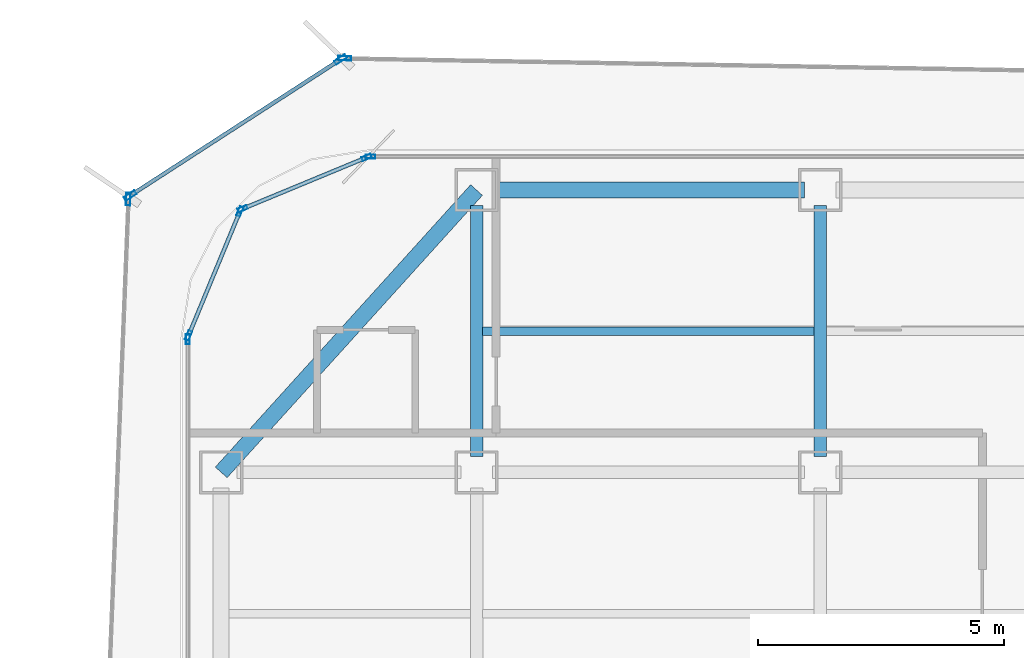
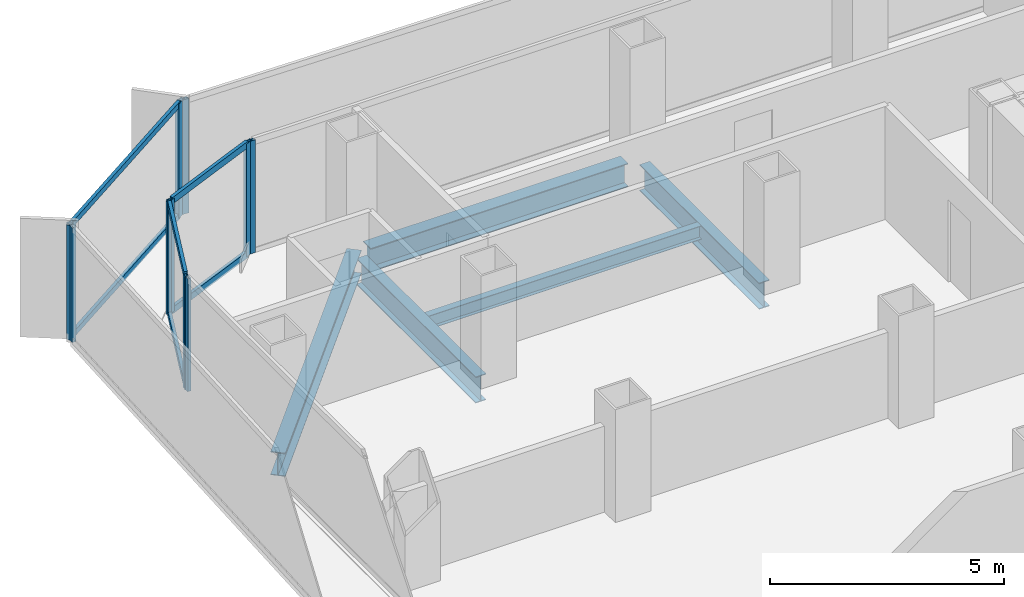
# One storey, part 10 of 21: 16 members, 5 beams, 7 elements without a shape of their own.
"""IFC4 building model written with IfcOpenShell, lengths in metres."""

from ifc_helpers import new_model, si_unit, direction, frame, origin, origin_2d, place, context, subcontext, project, spatial, hollow_rectangle, i_section, extrude, source, transform, mapped, material, layer, layer_set, material_profile, profile_set, type_object, element, aggregate, save


model = new_model("IFC4")

# Units and contexts
model_context = context("Model", 3, precision=1e-05, world=origin(), true_north=direction((0.0, 1.0)))
body_context = subcontext(model_context, "Body", "Model", "MODEL_VIEW")
ifc_project = project(units=[si_unit("LENGTHUNIT", "METRE"), si_unit("AREAUNIT", "SQUARE_METRE"), si_unit("VOLUMEUNIT", "CUBIC_METRE"), si_unit("PLANEANGLEUNIT", "RADIAN"), si_unit("MASSUNIT", "GRAM", prefix="KILO")], contexts=[model_context])

# Site, building, storey
site_placement = place(None, origin())
site = spatial("IfcSite", under=ifc_project, at=site_placement, CompositionType="ELEMENT")
building_placement = place(site_placement, origin())
building = spatial("IfcBuilding", under=site, at=building_placement, Name="Kolveth Station Tower", CompositionType="ELEMENT")
storey_placement = place(building_placement, frame((0.0, 0.0, 108.699951171875)))
storey = spatial("IfcBuildingStorey", under=building, at=storey_placement, Name="L29", CompositionType="ELEMENT", Elevation=108.699951171875)

# Beams
ifc_material_1 = material(Name="Steel S355", Category="steel")
ifc_material_profile_1 = material_profile(ifc_material_1, i_section(OverallWidth=0.323974609375, OverallDepth=0.611083984375, WebThickness=0.0126953125, FlangeThickness=0.01904296875, at=origin_2d()), Name="W610x155")
ifc_profile_set_1 = profile_set([ifc_material_profile_1], Name="Steel S355")
beam_type_1 = type_object("IfcBeamType", Name="Beam_SP2", PredefinedType="SPANDREL", material=ifc_profile_set_1)
shared_shape_1 = source(origin(), body_context, "Body", "SweptSolid", [
    extrude(i_section(OverallWidth=0.323974609375, OverallDepth=0.611083984375, WebThickness=0.0126953125, FlangeThickness=0.01904296875, at=origin_2d()), origin(), (0.0, 0.0, 1.0), 6.35986328125),
])
beam_1_placement = place(storey_placement, frame((6.320068359375, 34.5, -0.555419921875), z_axis=(1.0, 0.0, 0.0), x_axis=(0.0, 1.0, 0.0)))
element("IfcBeam", 1, at=beam_1_placement, inside=storey, type_object=beam_type_1, Name="L29 Perimeter Spandrel BM-L29-PN-1", PredefinedType="SPANDREL", context=body_context, shape_type="MappedRepresentation", body=[
    mapped(shared_shape_1, transform((0.0, 0.0, 0.0), x_axis=(1.0, 0.0, 0.0), y_axis=(0.0, 1.0, 0.0), z_axis=(0.0, 0.0, 1.0), scale=1.0)),
])
shared_shape_2 = source(origin(), body_context, "Body", "SweptSolid", [
    extrude(i_section(OverallWidth=0.323974609375, OverallDepth=0.611083984375, WebThickness=0.0126953125, FlangeThickness=0.01904296875, at=origin_2d()), origin(), (0.0, 0.0, 1.0), 7.75244140625),
])
beam_2_placement = place(storey_placement, frame((6.0, 34.5, -0.555419921875), z_axis=(-0.670740965555, -0.74169168603, 0.0), x_axis=(0.74169168603, -0.670740965555, 0.0)))
element("IfcBeam", 2, at=beam_2_placement, inside=storey, type_object=beam_type_1, Name="L29 Corner Edge Girder BM-L29-CNR-NW", PredefinedType="SPANDREL", context=body_context, shape_type="MappedRepresentation", body=[
    mapped(shared_shape_2, transform((0.0, 0.0, 0.0), x_axis=(1.0, 0.0, 0.0), y_axis=(0.0, 1.0, 0.0), z_axis=(0.0, 0.0, 1.0), scale=1.0)),
])
ifc_material_profile_2 = material_profile(ifc_material_1, i_section(OverallWidth=0.25390625, OverallDepth=0.68798828125, WebThickness=0.01318359375, FlangeThickness=0.02099609375, at=origin_2d()), Name="W690x152")
ifc_profile_set_2 = profile_set([ifc_material_profile_2], Name="Steel S355")
beam_type_2 = type_object("IfcBeamType", Name="Beam_B4", PredefinedType="BEAM", material=ifc_profile_set_2)
shared_shape_3 = source(origin(), body_context, "Body", "SweptSolid", [
    extrude(i_section(OverallWidth=0.25390625, OverallDepth=0.68798828125, WebThickness=0.01318359375, FlangeThickness=0.02099609375, at=origin_2d()), origin(), (0.0, 0.0, 1.0), 5.10986328125),
])
for number, where, z_axis, x_axis, name in (
    (3, (6.0, 29.070068359375, -0.593994140625), (0.0, 1.0, 0.0), (-1.0, 0.0, 0.0), "L29 Primary Girder BM-L29-GX60-6"),
    (4, (13.0, 29.070068359375, -0.593994140625), (0.0, 1.0, 0.0), (-1.0, 0.0, 0.0), "L29 Primary Girder BM-L29-GX130-6"),
):
    element("IfcBeam", number, at=place(storey_placement, frame(where, z_axis=z_axis, x_axis=x_axis)), inside=storey, type_object=beam_type_2, Name=name, PredefinedType="BEAM", context=body_context, shape_type="MappedRepresentation", body=[
        mapped(shared_shape_3, transform((0.0, 0.0, 0.0), x_axis=(1.0, 0.0, 0.0), y_axis=(0.0, 1.0, 0.0), z_axis=(0.0, 0.0, 1.0), scale=1.0)),
    ])
ifc_material_profile_3 = material_profile(ifc_material_1, i_section(OverallWidth=0.1708984375, OverallDepth=0.35205078125, WebThickness=0.0068359375, FlangeThickness=0.009765625, at=origin_2d()), Name="W360x44")
ifc_profile_set_3 = profile_set([ifc_material_profile_3], Name="Steel S355")
beam_type_3 = type_object("IfcBeamType", Name="Beam_J2", PredefinedType="JOIST", material=ifc_profile_set_3)
shared_shape_4 = source(origin(), body_context, "Body", "SweptSolid", [
    extrude(i_section(OverallWidth=0.1708984375, OverallDepth=0.35205078125, WebThickness=0.0068359375, FlangeThickness=0.009765625, at=origin_2d()), origin(), (0.0, 0.0, 1.0), 6.75),
])
beam_3_placement = place(storey_placement, frame((6.125, 31.625, -0.426025390625), z_axis=(1.0, 0.0, 0.0), x_axis=(0.0, 1.0, 0.0)))
element("IfcBeam", 5, at=beam_3_placement, inside=storey, type_object=beam_type_3, Name="L29 Secondary Joist JST-L29-2-6", PredefinedType="JOIST", context=body_context, shape_type="MappedRepresentation", body=[
    mapped(shared_shape_4, transform((0.0, 0.0, 0.0), x_axis=(1.0, 0.0, 0.0), y_axis=(0.0, 1.0, 0.0), z_axis=(0.0, 0.0, 1.0), scale=1.0)),
])

# Curtain wall, member
ifc_material_2 = material(Name="Aluminium 6063-T6 and low-E dark glass", Category="aluminium")
ifc_layer_1 = layer(ifc_material_2, 0.18994140625)
ifc_layer_set_1 = layer_set([ifc_layer_1], Name="Aluminium 6063-T6 and low-E dark glass")
curtain_wall_type_1 = type_object("IfcCurtainWallType", Name="CurtainWall_CW-Z2", PredefinedType="NOTDEFINED", material=ifc_layer_set_1)
curtain_wall_1_placement = place(storey_placement, origin())
curtain_wall_1 = element("IfcCurtainWall", 6, at=curtain_wall_1_placement, inside=storey, type_object=curtain_wall_type_1, Name="L29 Inner Thermal Curtain Wall 6", PredefinedType="NOTDEFINED")
ifc_material_3 = material(Name="Black anodized aluminium 6063-T6", Category="aluminium")
ifc_material_profile_4 = material_profile(ifc_material_3, hollow_rectangle(XDim=0.080078125, YDim=0.199951171875, WallThickness=0.0048828125, at=origin_2d()), Name="ALU-80x200x5")
ifc_profile_set_4 = profile_set([ifc_material_profile_4], Name="Black anodized aluminium 6063-T6")
member_type_1 = type_object("IfcMemberType", Name="Mullion_ML2", PredefinedType="MULLION", material=ifc_profile_set_4)
shared_shape_5 = source(origin(), body_context, "Body", "SweptSolid", [
    extrude(hollow_rectangle(XDim=0.080078125, YDim=0.199951171875, WallThickness=0.0048828125, at=origin_2d()), origin(), (0.0, 0.0, 1.0), 2.949951171875),
])
member_1_placement = place(storey_placement, frame((3.840087890625, 35.179931640625, 0.0), z_axis=(0.0, 0.0, 1.0), x_axis=(0.0, -1.0, 0.0)))
member_1 = element("IfcMember", 7, at=member_1_placement, type_object=member_type_1, Name="CW-Z2 mullion 3", PredefinedType="MULLION", context=body_context, shape_type="MappedRepresentation", body=[
    mapped(shared_shape_5, transform((0.0, 0.0, 0.0), x_axis=(1.0, 0.0, 0.0), y_axis=(0.0, 1.0, 0.0), z_axis=(0.0, 0.0, 1.0), scale=1.0)),
])
aggregate(curtain_wall_1, [member_1])

# Curtain wall, members
curtain_wall_2_placement = place(storey_placement, origin())
curtain_wall_2 = element("IfcCurtainWall", 8, at=curtain_wall_2_placement, inside=storey, type_object=curtain_wall_type_1, Name="L29 Inner Thermal Curtain Wall 7", PredefinedType="NOTDEFINED")
member_2_placement = place(storey_placement, frame((3.762939453125, 35.164794921875, 0.0), z_axis=(0.0, 0.0, 1.0), x_axis=(0.38266326998, -0.923887883787, 0.0)))
member_2 = element("IfcMember", 9, at=member_2_placement, type_object=member_type_1, Name="CW-Z2 mullion 1", PredefinedType="MULLION", context=body_context, shape_type="MappedRepresentation", body=[
    mapped(shared_shape_5, transform((0.0, 0.0, 0.0), x_axis=(1.0, 0.0, 0.0), y_axis=(0.0, 1.0, 0.0), z_axis=(0.0, 0.0, 1.0), scale=1.0)),
])
member_3_placement = place(storey_placement, frame((1.23486328125, 34.117431640625, 0.0), z_axis=(0.0, 0.0, 1.0), x_axis=(0.38266326998, -0.923887883787, 0.0)))
member_3 = element("IfcMember", 10, at=member_3_placement, type_object=member_type_1, Name="CW-Z2 mullion 2", PredefinedType="MULLION", context=body_context, shape_type="MappedRepresentation", body=[
    mapped(shared_shape_5, transform((0.0, 0.0, 0.0), x_axis=(1.0, 0.0, 0.0), y_axis=(0.0, 1.0, 0.0), z_axis=(0.0, 0.0, 1.0), scale=1.0)),
])

curtain_wall_3_placement = place(storey_placement, origin())
curtain_wall_3 = element("IfcCurtainWall", 11, at=curtain_wall_3_placement, inside=storey, type_object=curtain_wall_type_1, Name="L29 Inner Thermal Curtain Wall 8", PredefinedType="NOTDEFINED")
member_4_placement = place(storey_placement, frame((1.182373046875, 34.065185546875, 0.0), z_axis=(0.0, 0.0, 1.0), x_axis=(0.923887883787, -0.38266326998, 0.0)))
member_4 = element("IfcMember", 12, at=member_4_placement, type_object=member_type_1, Name="CW-Z2 mullion 1", PredefinedType="MULLION", context=body_context, shape_type="MappedRepresentation", body=[
    mapped(shared_shape_5, transform((0.0, 0.0, 0.0), x_axis=(1.0, 0.0, 0.0), y_axis=(0.0, 1.0, 0.0), z_axis=(0.0, 0.0, 1.0), scale=1.0)),
])
member_5_placement = place(storey_placement, frame((0.13525390625, 31.536865234375, 0.0), z_axis=(0.0, 0.0, 1.0), x_axis=(0.923887883787, -0.38266326998, 0.0)))
member_5 = element("IfcMember", 13, at=member_5_placement, type_object=member_type_1, Name="CW-Z2 mullion 2", PredefinedType="MULLION", context=body_context, shape_type="MappedRepresentation", body=[
    mapped(shared_shape_5, transform((0.0, 0.0, 0.0), x_axis=(1.0, 0.0, 0.0), y_axis=(0.0, 1.0, 0.0), z_axis=(0.0, 0.0, 1.0), scale=1.0)),
])

# Curtain wall, member
curtain_wall_4_placement = place(storey_placement, origin())
curtain_wall_4 = element("IfcCurtainWall", 14, at=curtain_wall_4_placement, inside=storey, type_object=curtain_wall_type_1, Name="L29 Inner Thermal Curtain Wall 9", PredefinedType="NOTDEFINED")
member_6_placement = place(storey_placement, frame((0.1201171875, 31.4599609375, 0.0), z_axis=(0.0, 0.0, 1.0), x_axis=(1.0, 0.0, 0.0)))
member_6 = element("IfcMember", 15, at=member_6_placement, type_object=member_type_1, Name="CW-Z2 mullion 1", PredefinedType="MULLION", context=body_context, shape_type="MappedRepresentation", body=[
    mapped(shared_shape_5, transform((0.0, 0.0, 0.0), x_axis=(1.0, 0.0, 0.0), y_axis=(0.0, 1.0, 0.0), z_axis=(0.0, 0.0, 1.0), scale=1.0)),
])
aggregate(curtain_wall_4, [member_6])

# Member
ifc_material_profile_5 = material_profile(ifc_material_3, hollow_rectangle(XDim=0.080078125, YDim=0.169921875, WallThickness=0.0048828125, at=origin_2d()), Name="ALU-80x170x5")
ifc_profile_set_5 = profile_set([ifc_material_profile_5], Name="Black anodized aluminium 6063-T6")
member_type_2 = type_object("IfcMemberType", Name="Transom_TR2", PredefinedType="USERDEFINED", material=ifc_profile_set_5)
shared_shape_6 = source(origin(), body_context, "Body", "SweptSolid", [
    extrude(hollow_rectangle(XDim=0.080078125, YDim=0.169921875, WallThickness=0.0048828125, at=origin_2d()), origin(), (0.0, 0.0, 1.0), 2.656494140625),
])
member_7_placement = place(storey_placement, frame((3.72607421875, 35.1494140625, 0.0400390625), z_axis=(-0.923882422403, -0.382676455475, 0.0), x_axis=(0.382676455475, -0.923882422403, 0.0)))
member_7 = element("IfcMember", 16, at=member_7_placement, type_object=member_type_2, Name="CW-Z2 transom 1.1", ObjectType="TRANSOM", PredefinedType="USERDEFINED", context=body_context, shape_type="MappedRepresentation", body=[
    mapped(shared_shape_6, transform((0.0, 0.0, 0.0), x_axis=(1.0, 0.0, 0.0), y_axis=(0.0, 1.0, 0.0), z_axis=(0.0, 0.0, 1.0), scale=1.0)),
])

member_8_placement = place(storey_placement, frame((3.72607421875, 35.1494140625, 2.91015625), z_axis=(-0.923882422403, -0.382676455475, 0.0), x_axis=(0.382676455475, -0.923882422403, 0.0)))
member_8 = element("IfcMember", 17, at=member_8_placement, type_object=member_type_2, Name="CW-Z2 transom 1.2", ObjectType="TRANSOM", PredefinedType="USERDEFINED", context=body_context, shape_type="MappedRepresentation", body=[
    mapped(shared_shape_6, transform((0.0, 0.0, 0.0), x_axis=(1.0, 0.0, 0.0), y_axis=(0.0, 1.0, 0.0), z_axis=(0.0, 0.0, 1.0), scale=1.0)),
])

aggregate(curtain_wall_2, [member_2, member_3, member_7, member_8])

member_9_placement = place(storey_placement, frame((1.167236328125, 34.0283203125, 0.0400390625), z_axis=(-0.382676455475, -0.923882422403, 0.0), x_axis=(0.923882422403, -0.382676455475, 0.0)))
member_9 = element("IfcMember", 18, at=member_9_placement, type_object=member_type_2, Name="CW-Z2 transom 1.1", ObjectType="TRANSOM", PredefinedType="USERDEFINED", context=body_context, shape_type="MappedRepresentation", body=[
    mapped(shared_shape_6, transform((0.0, 0.0, 0.0), x_axis=(1.0, 0.0, 0.0), y_axis=(0.0, 1.0, 0.0), z_axis=(0.0, 0.0, 1.0), scale=1.0)),
])

member_10_placement = place(storey_placement, frame((1.167236328125, 34.0283203125, 2.91015625), z_axis=(-0.382676455475, -0.923882422403, 0.0), x_axis=(0.923882422403, -0.382676455475, 0.0)))
member_10 = element("IfcMember", 19, at=member_10_placement, type_object=member_type_2, Name="CW-Z2 transom 1.2", ObjectType="TRANSOM", PredefinedType="USERDEFINED", context=body_context, shape_type="MappedRepresentation", body=[
    mapped(shared_shape_6, transform((0.0, 0.0, 0.0), x_axis=(1.0, 0.0, 0.0), y_axis=(0.0, 1.0, 0.0), z_axis=(0.0, 0.0, 1.0), scale=1.0)),
])

aggregate(curtain_wall_3, [member_4, member_5, member_9, member_10])

# Curtain wall, member
ifc_material_4 = material(Name="Black anodized aluminium 6063-T6 and dark solar glass", Category="aluminium")
ifc_layer_2 = layer(ifc_material_4, 0.159912109375)
ifc_layer_set_2 = layer_set([ifc_layer_2], Name="Black anodized aluminium 6063-T6 and dark solar glass")
curtain_wall_type_2 = type_object("IfcCurtainWallType", Name="OUTER SKIN CW-OS", PredefinedType="NOTDEFINED", material=ifc_layer_set_2)
curtain_wall_5_placement = place(storey_placement, origin())
curtain_wall_5 = element("IfcCurtainWall", 20, at=curtain_wall_5_placement, inside=storey, type_object=curtain_wall_type_2, Name="L29 Outer Ventilated Skin Curtain Wall 4", PredefinedType="NOTDEFINED")
ifc_material_profile_6 = material_profile(ifc_material_3, hollow_rectangle(XDim=0.090087890625, YDim=0.260009765625, WallThickness=0.0048828125, at=origin_2d()), Name="ALU-90x260x5")
ifc_profile_set_6 = profile_set([ifc_material_profile_6], Name="Black anodized aluminium 6063-T6")
member_type_3 = type_object("IfcMemberType", Name="FIN MULLION ML-OS", PredefinedType="MULLION", material=ifc_profile_set_6)
shared_shape_7 = source(origin(), body_context, "Body", "SweptSolid", [
    extrude(hollow_rectangle(XDim=0.090087890625, YDim=0.260009765625, WallThickness=0.0048828125, at=origin_2d()), origin(), (0.0, 0.0, 1.0), 2.989990234375),
])
member_11_placement = place(storey_placement, frame((3.314453125, 37.18310546875, 0.0), z_axis=(0.0, 0.0, 1.0), x_axis=(-0.017337734418, -0.999849690186, 0.0)))
member_11 = element("IfcMember", 21, at=member_11_placement, type_object=member_type_3, Name="CW-OS mullion 2", PredefinedType="MULLION", context=body_context, shape_type="MappedRepresentation", body=[
    mapped(shared_shape_7, transform((0.0, 0.0, 0.0), x_axis=(1.0, 0.0, 0.0), y_axis=(0.0, 1.0, 0.0), z_axis=(0.0, 0.0, 1.0), scale=1.0)),
])
aggregate(curtain_wall_5, [member_11])

# Curtain wall, members
curtain_wall_6_placement = place(storey_placement, origin())
curtain_wall_6 = element("IfcCurtainWall", 22, at=curtain_wall_6_placement, inside=storey, type_object=curtain_wall_type_2, Name="L29 Outer Ventilated Skin Curtain Wall 5", PredefinedType="NOTDEFINED")
member_12_placement = place(storey_placement, frame((3.231689453125, 37.159423828125, 0.0), z_axis=(0.0, 0.0, 1.0), x_axis=(0.543372616569, -0.839491631622, 0.0)))
member_12 = element("IfcMember", 23, at=member_12_placement, type_object=member_type_3, Name="CW-OS mullion 1", PredefinedType="MULLION", context=body_context, shape_type="MappedRepresentation", body=[
    mapped(shared_shape_7, transform((0.0, 0.0, 0.0), x_axis=(1.0, 0.0, 0.0), y_axis=(0.0, 1.0, 0.0), z_axis=(0.0, 0.0, 1.0), scale=1.0)),
])
member_13_placement = place(storey_placement, frame((-1.052978515625, 34.38623046875, 0.0), z_axis=(0.0, 0.0, 1.0), x_axis=(0.543372616569, -0.839491631622, 0.0)))
member_13 = element("IfcMember", 24, at=member_13_placement, type_object=member_type_3, Name="CW-OS mullion 2", PredefinedType="MULLION", context=body_context, shape_type="MappedRepresentation", body=[
    mapped(shared_shape_7, transform((0.0, 0.0, 0.0), x_axis=(1.0, 0.0, 0.0), y_axis=(0.0, 1.0, 0.0), z_axis=(0.0, 0.0, 1.0), scale=1.0)),
])

# Curtain wall, member
curtain_wall_7_placement = place(storey_placement, origin())
curtain_wall_7 = element("IfcCurtainWall", 25, at=curtain_wall_7_placement, inside=storey, type_object=curtain_wall_type_2, Name="L29 Outer Ventilated Skin Curtain Wall 6", PredefinedType="NOTDEFINED")
member_14_placement = place(storey_placement, frame((-1.092529296875, 34.316650390625, 0.0), z_axis=(0.0, 0.0, 1.0), x_axis=(0.999196993693, -0.040067041242, 0.0)))
member_14 = element("IfcMember", 26, at=member_14_placement, type_object=member_type_3, Name="CW-OS mullion 1", PredefinedType="MULLION", context=body_context, shape_type="MappedRepresentation", body=[
    mapped(shared_shape_7, transform((0.0, 0.0, 0.0), x_axis=(1.0, 0.0, 0.0), y_axis=(0.0, 1.0, 0.0), z_axis=(0.0, 0.0, 1.0), scale=1.0)),
])
aggregate(curtain_wall_7, [member_14])

# Member
ifc_material_profile_7 = material_profile(ifc_material_3, hollow_rectangle(XDim=0.080078125, YDim=0.14990234375, WallThickness=0.0048828125, at=origin_2d()), Name="ALU-80x150x5")
ifc_profile_set_7 = profile_set([ifc_material_profile_7], Name="Black anodized aluminium 6063-T6")
member_type_4 = type_object("IfcMemberType", Name="Transom_TR-OS", PredefinedType="USERDEFINED", material=ifc_profile_set_7)
shared_shape_8 = source(origin(), body_context, "Body", "SweptSolid", [
    extrude(hollow_rectangle(XDim=0.080078125, YDim=0.14990234375, WallThickness=0.0048828125, at=origin_2d()), origin(), (0.0, 0.0, 1.0), 5.013671875),
])
member_15_placement = place(storey_placement, frame((3.19384765625, 37.135009765625, 0.0400390625), z_axis=(-0.839487842458, -0.543378470649, 0.0), x_axis=(0.543378470649, -0.839487842458, 0.0)))
member_15 = element("IfcMember", 27, at=member_15_placement, type_object=member_type_4, Name="CW-OS transom 1.1", ObjectType="TRANSOM", PredefinedType="USERDEFINED", context=body_context, shape_type="MappedRepresentation", body=[
    mapped(shared_shape_8, transform((0.0, 0.0, 0.0), x_axis=(1.0, 0.0, 0.0), y_axis=(0.0, 1.0, 0.0), z_axis=(0.0, 0.0, 1.0), scale=1.0)),
])

member_16_placement = place(storey_placement, frame((3.19384765625, 37.135009765625, 2.949951171875), z_axis=(-0.839487842458, -0.543378470649, 0.0), x_axis=(0.543378470649, -0.839487842458, 0.0)))
member_16 = element("IfcMember", 28, at=member_16_placement, type_object=member_type_4, Name="CW-OS transom 1.2", ObjectType="TRANSOM", PredefinedType="USERDEFINED", context=body_context, shape_type="MappedRepresentation", body=[
    mapped(shared_shape_8, transform((0.0, 0.0, 0.0), x_axis=(1.0, 0.0, 0.0), y_axis=(0.0, 1.0, 0.0), z_axis=(0.0, 0.0, 1.0), scale=1.0)),
])

aggregate(curtain_wall_6, [member_12, member_13, member_15, member_16])

save(model, "model.ifc")
